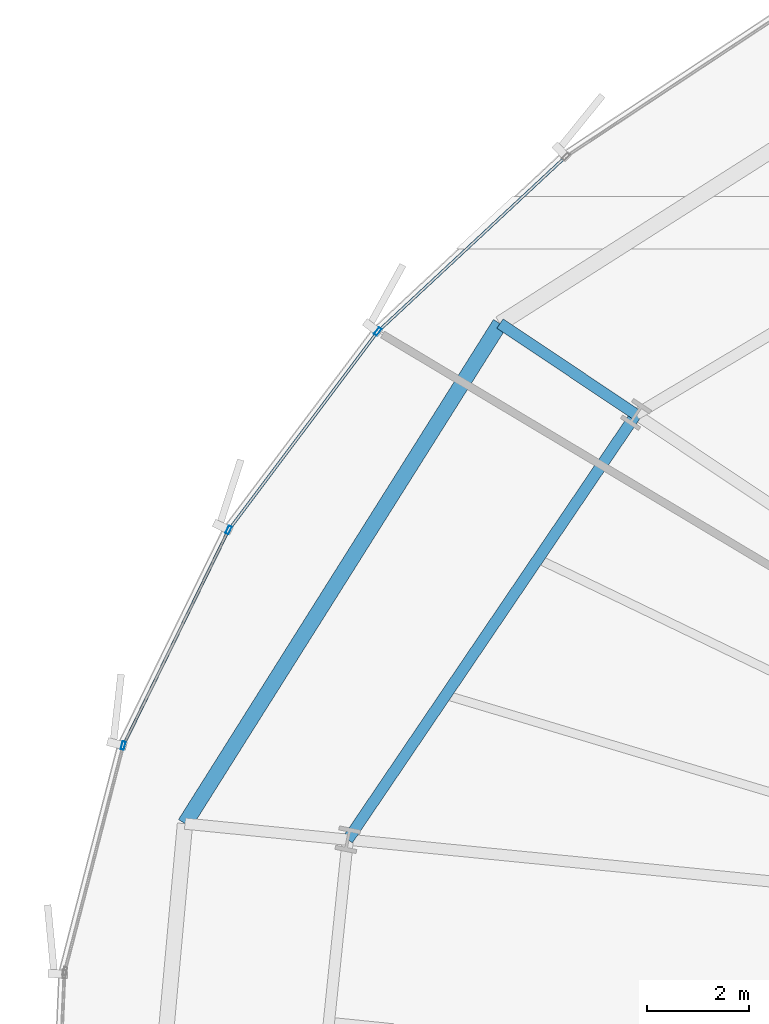
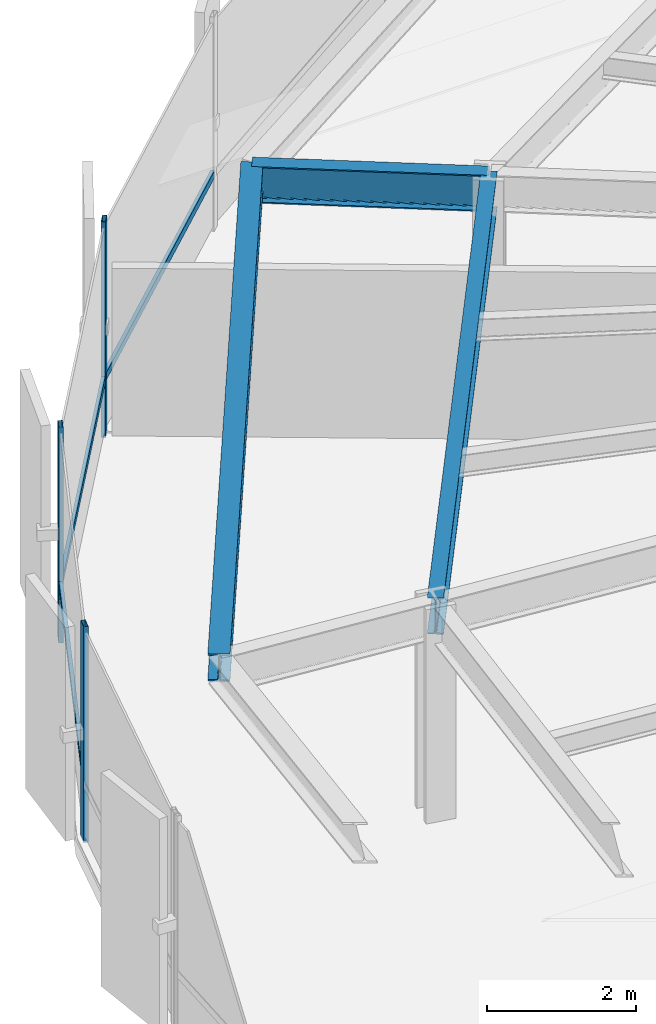
# One storey, part 18 of 39: 6 members, 3 beams, 1 element without a shape of its own.
"""IFC4 building model written with IfcOpenShell, lengths in metres."""

from ifc_helpers import new_model, si_unit, direction, frame, origin, origin_2d, place, context, subcontext, project, spatial, hollow_rectangle, i_section, extrude, source, transform, mapped, material, layer, layer_set, material_profile, profile_set, type_object, element, aggregate, save


model = new_model("IFC4")

# Units and contexts
model_context = context("Model", 3, precision=1e-05, world=origin(), true_north=direction((0.0, 1.0)))
body_context = subcontext(model_context, "Body", "Model", "MODEL_VIEW")
ifc_project = project(units=[si_unit("LENGTHUNIT", "METRE"), si_unit("AREAUNIT", "SQUARE_METRE"), si_unit("VOLUMEUNIT", "CUBIC_METRE"), si_unit("PLANEANGLEUNIT", "RADIAN"), si_unit("MASSUNIT", "GRAM", prefix="KILO"), si_unit("THERMODYNAMICTEMPERATUREUNIT", "KELVIN")], contexts=[model_context])

# Site, building, storey
site_placement = place(None, origin())
site = spatial("IfcSite", under=ifc_project, at=site_placement, CompositionType="ELEMENT")
building_placement = place(site_placement, origin())
building = spatial("IfcBuilding", under=site, at=building_placement, Name="Kethvar Cultural Tower", CompositionType="ELEMENT")
storey_placement = place(building_placement, frame((0.0, 0.0, 44.800048828125)))
storey = spatial("IfcBuildingStorey", under=building, at=storey_placement, Name="L10", CompositionType="ELEMENT", Elevation=44.800048828125)

# Beams
ifc_material_1 = material(Name="Steel S355J2", Category="steel")
ifc_material_profile_1 = material_profile(ifc_material_1, i_section(OverallWidth=0.219970703125, OverallDepth=0.60009765625, WebThickness=0.011962890625, FlangeThickness=0.01904296875, FilletRadius=0.02392578125, at=origin_2d()), Name="Steel S355J2 — IPE600")
ifc_profile_set_1 = profile_set([ifc_material_profile_1], Name="Steel S355J2 — IPE600")
beam_type_1 = type_object("IfcBeamType", Name="BM-IPE600", PredefinedType="BEAM", material=ifc_profile_set_1)
shared_shape_1 = source(origin(), body_context, "Body", "SweptSolid", [
    extrude(i_section(OverallWidth=0.219970703125, OverallDepth=0.60009765625, WebThickness=0.011962890625, FlangeThickness=0.01904296875, FilletRadius=0.02392578125, at=origin_2d()), origin(), (0.0, 0.0, 1.0), 3.199951171875),
])
beam_1_placement = place(storey_placement, frame((26.6845703125, 41.24072265625, 3.248046875), z_axis=(-0.831462943996, 0.555580212716, 0.0), x_axis=(-0.555580212716, -0.831462943996, 0.0)))
element("IfcBeam", 1, at=beam_1_placement, inside=storey, type_object=beam_type_1, Name="L10 Perimeter Cantilever Beam RC-07", PredefinedType="BEAM", context=body_context, shape_type="MappedRepresentation", body=[
    mapped(shared_shape_1, transform((0.0, 0.0, 0.0), scale=1.0)),
])
shared_shape_2 = source(origin(), body_context, "Body", "SweptSolid", [
    extrude(i_section(OverallWidth=0.219970703125, OverallDepth=0.60009765625, WebThickness=0.011962890625, FlangeThickness=0.01904296875, FilletRadius=0.02392578125, at=origin_2d()), origin(), (0.0, 0.0, 1.0), 10.048583984375),
])
beam_2_placement = place(storey_placement, frame((26.6845703125, 41.24072265625, 3.248046875), z_axis=(-0.561025415443, -0.827798576483, 0.0), x_axis=(0.827798576483, -0.561025415443, 0.0)))
element("IfcBeam", 2, at=beam_2_placement, inside=storey, type_object=beam_type_1, Name="L10 Column Ring Tie Beam CR-07", PredefinedType="BEAM", context=body_context, shape_type="MappedRepresentation", body=[
    mapped(shared_shape_2, transform((0.0, 0.0, 0.0), scale=1.0)),
])
ifc_material_profile_2 = material_profile(ifc_material_1, i_section(OverallWidth=0.300048828125, OverallDepth=0.449951171875, WebThickness=0.013916015625, FlangeThickness=0.02587890625, FilletRadius=0.027099609375, at=origin_2d()), Name="Steel S355J2 — HEB450")
ifc_profile_set_2 = profile_set([ifc_material_profile_2], Name="Steel S355J2 — HEB450")
beam_type_2 = type_object("IfcBeamType", Name="BM-SP450", PredefinedType="SPANDREL", material=ifc_profile_set_2)
shared_shape_3 = source(origin(), body_context, "Body", "SweptSolid", [
    extrude(i_section(OverallWidth=0.300048828125, OverallDepth=0.449951171875, WebThickness=0.013916015625, FlangeThickness=0.02587890625, FilletRadius=0.027099609375, at=origin_2d()), origin(), (0.0, 0.0, 1.0), 11.560546875),
])
beam_3_placement = place(storey_placement, frame((24.02392578125, 43.0185546875, 3.322998046875), z_axis=(-0.532968413488, -0.846135137093, 0.0), x_axis=(0.846135137093, -0.532968413488, 0.0)))
element("IfcBeam", 3, at=beam_3_placement, inside=storey, type_object=beam_type_2, Name="L10 Perimeter Spandrel Beam SP-07", PredefinedType="SPANDREL", context=body_context, shape_type="MappedRepresentation", body=[
    mapped(shared_shape_3, transform((0.0, 0.0, 0.0), scale=1.0)),
])

# Curtain wall, members
ifc_material_2 = material(Name="Aluminium 6063-T6", Category="aluminium")
ifc_layer = layer(ifc_material_2, 0.179931640625, Name="Aluminium 6063-T6", Category="aluminium")
ifc_layer_set = layer_set([ifc_layer], Name="Aluminium 6063-T6 (180 mm)")
curtain_wall_type = type_object("IfcCurtainWallType", Name="CW-SYS-02-Z1", PredefinedType="NOTDEFINED", material=ifc_layer_set)
curtain_wall_placement = place(storey_placement, origin())
curtain_wall = element("IfcCurtainWall", 4, at=curtain_wall_placement, inside=storey, type_object=curtain_wall_type, Name="L10 Curtain Wall Run 03", PredefinedType="NOTDEFINED")
ifc_material_profile_3 = material_profile(ifc_material_2, hollow_rectangle(XDim=0.06494140625, YDim=0.159912109375, WallThickness=0.0048828125, at=origin_2d()), Name="Aluminium 6063-T6 — RHS160x65x5")
ifc_profile_set_3 = profile_set([ifc_material_profile_3], Name="Aluminium 6063-T6 — RHS160x65x5")
member_type_1 = type_object("IfcMemberType", Name="CW-SYS-02-Z1-MUL", PredefinedType="MULLION", material=ifc_profile_set_3)
shared_shape_4 = source(origin(), body_context, "Body", "SweptSolid", [
    extrude(hollow_rectangle(XDim=0.06494140625, YDim=0.159912109375, WallThickness=0.0048828125, at=origin_2d()), origin(), (0.0, 0.0, 1.0), 3.550048828125),
])
member_1_placement = place(storey_placement, frame((21.6328125, 42.861328125, 0.0), z_axis=(0.0, 0.0, 1.0), x_axis=(0.79966369938, -0.600448139221, 0.0)))
member_1 = element("IfcMember", 5, at=member_1_placement, type_object=member_type_1, Name="CW-L10-R03 Mullion 4", PredefinedType="MULLION", context=body_context, shape_type="MappedRepresentation", body=[
    mapped(shared_shape_4, transform((0.0, 0.0, 0.0), scale=1.0)),
])
member_2_placement = place(storey_placement, frame((18.716796875, 38.981689453125, 0.0), z_axis=(0.0, 0.0, 1.0), x_axis=(0.898549073497, -0.438873059686, 0.0)))
member_2 = element("IfcMember", 6, at=member_2_placement, type_object=member_type_1, Name="CW-L10-R03 Mullion 5", PredefinedType="MULLION", context=body_context, shape_type="MappedRepresentation", body=[
    mapped(shared_shape_4, transform((0.0, 0.0, 0.0), scale=1.0)),
])
member_3_placement = place(storey_placement, frame((16.654296875, 34.76416015625, 0.0), z_axis=(0.0, 0.0, 1.0), x_axis=(0.968147640378, -0.250380004054, 0.0)))
member_3 = element("IfcMember", 7, at=member_3_placement, type_object=member_type_1, Name="CW-L10-R03 Mullion 6", PredefinedType="MULLION", context=body_context, shape_type="MappedRepresentation", body=[
    mapped(shared_shape_4, transform((0.0, 0.0, 0.0), scale=1.0)),
])
ifc_material_profile_4 = material_profile(ifc_material_2, hollow_rectangle(XDim=0.054931640625, YDim=0.1201171875, WallThickness=0.00390625, at=origin_2d()), Name="Aluminium 6063-T6 — RHS120x55x4")
ifc_profile_set_4 = profile_set([ifc_material_profile_4], Name="Aluminium 6063-T6 — RHS120x55x4")
member_type_2 = type_object("IfcMemberType", Name="CW-SYS-02-Z1-TRN", PredefinedType="USERDEFINED", material=ifc_profile_set_4)
shared_shape_5 = source(origin(), body_context, "Body", "SweptSolid", [
    extrude(hollow_rectangle(XDim=0.054931640625, YDim=0.1201171875, WallThickness=0.00390625, at=origin_2d()), origin(), (0.0, 0.0, 1.0), 4.95458984375),
])
member_4_placement = place(storey_placement, frame((25.279541015625, 46.2529296875, 0.949951171875), z_axis=(-0.732004978472, -0.681299281882, 0.0), x_axis=(0.681299281882, -0.732004978472, 0.0)))
member_4 = element("IfcMember", 8, at=member_4_placement, type_object=member_type_2, Name="CW-L10-R03 Transom 3", ObjectType="TRANSOM", PredefinedType="USERDEFINED", context=body_context, shape_type="MappedRepresentation", body=[
    mapped(shared_shape_5, transform((0.0, 0.0, 0.0), scale=1.0)),
])
shared_shape_6 = source(origin(), body_context, "Body", "SweptSolid", [
    extrude(hollow_rectangle(XDim=0.054931640625, YDim=0.1201171875, WallThickness=0.00390625, at=origin_2d()), origin(), (0.0, 0.0, 1.0), 4.7822265625),
])
member_5_placement = place(storey_placement, frame((21.604736328125, 42.823974609375, 0.949951171875), z_axis=(-0.600481828591, -0.799638401737, 0.0), x_axis=(0.799638401737, -0.600481828591, 0.0)))
member_5 = element("IfcMember", 9, at=member_5_placement, type_object=member_type_2, Name="CW-L10-R03 Transom 4", ObjectType="TRANSOM", PredefinedType="USERDEFINED", context=body_context, shape_type="MappedRepresentation", body=[
    mapped(shared_shape_6, transform((0.0, 0.0, 0.0), scale=1.0)),
])
shared_shape_7 = source(origin(), body_context, "Body", "SweptSolid", [
    extrude(hollow_rectangle(XDim=0.054931640625, YDim=0.1201171875, WallThickness=0.00390625, at=origin_2d()), origin(), (0.0, 0.0, 1.0), 4.625244140625),
])
member_6_placement = place(storey_placement, frame((18.6962890625, 38.939697265625, 0.949951171875), z_axis=(-0.438854130422, -0.89855831876, 0.0), x_axis=(0.89855831876, -0.438854130422, 0.0)))
member_6 = element("IfcMember", 10, at=member_6_placement, type_object=member_type_2, Name="CW-L10-R03 Transom 5", ObjectType="TRANSOM", PredefinedType="USERDEFINED", context=body_context, shape_type="MappedRepresentation", body=[
    mapped(shared_shape_7, transform((0.0, 0.0, 0.0), scale=1.0)),
])
aggregate(curtain_wall, [member_1, member_2, member_3, member_4, member_5, member_6])

save(model, "model.ifc")
